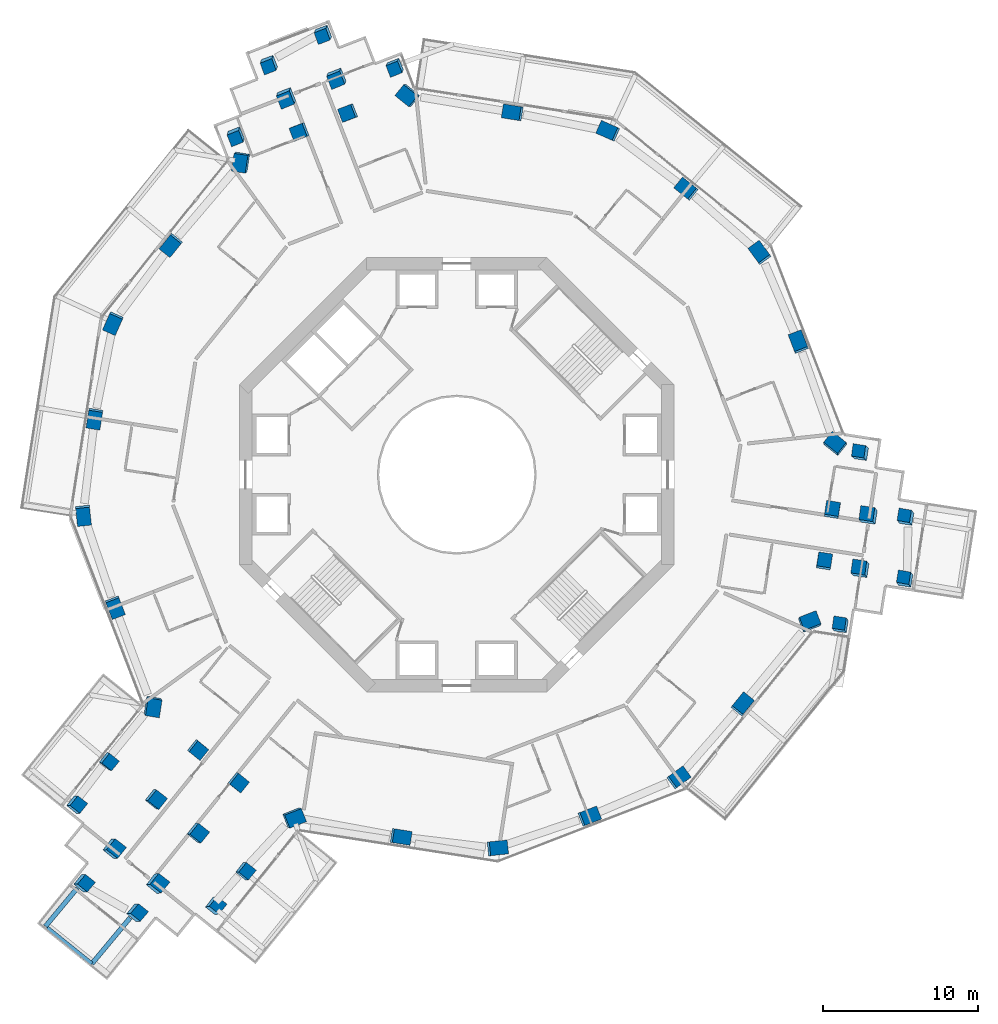
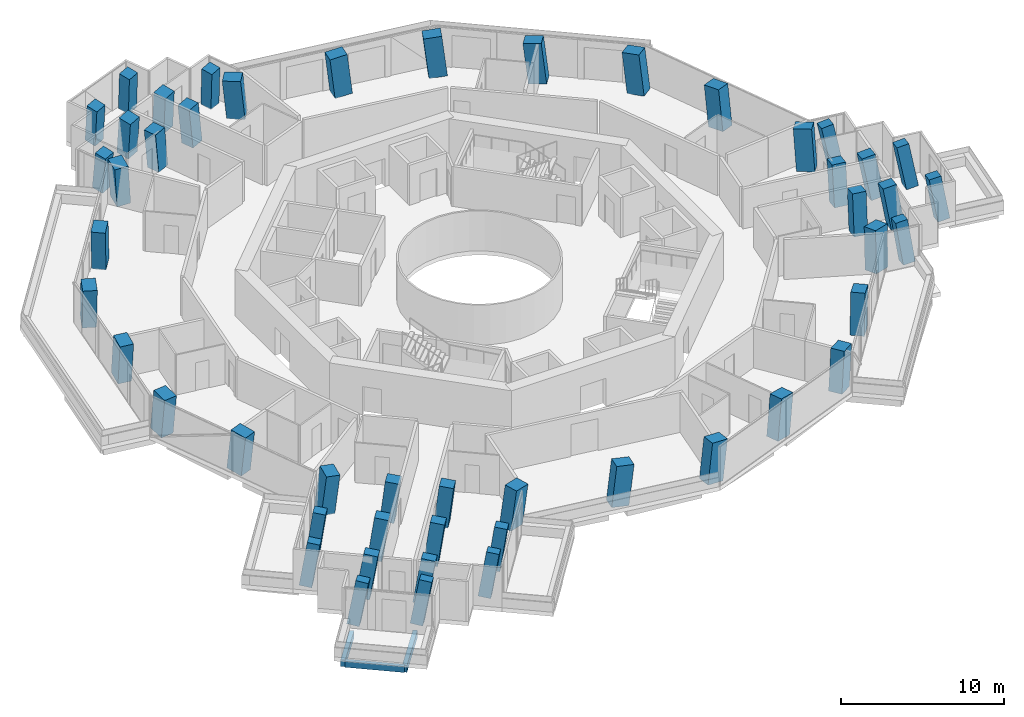
# One storey, part 1 of 23: 49 columns, 3 beams.
"""IFC4 building model written with IfcOpenShell, lengths in metres."""

from ifc_helpers import new_model, si_unit, direction, frame, origin, origin_2d, place, context, subcontext, project, spatial, rectangle, extrude, material, material_profile, profile_set, type_object, element, save


model = new_model("IFC4")

# Units and contexts
model_context = context("Model", 3, precision=1e-05, world=origin(), true_north=direction((0.0, 1.0)))
body_context = subcontext(model_context, "Body", "Model", "MODEL_VIEW")
ifc_project = project(units=[si_unit("LENGTHUNIT", "METRE"), si_unit("AREAUNIT", "SQUARE_METRE"), si_unit("VOLUMEUNIT", "CUBIC_METRE"), si_unit("PLANEANGLEUNIT", "RADIAN"), si_unit("MASSUNIT", "GRAM", prefix="KILO")], contexts=[model_context])

# Site, building, storey
site_placement = place(None, origin())
site = spatial("IfcSite", under=ifc_project, at=site_placement, CompositionType="ELEMENT")
building_placement = place(site_placement, origin())
building = spatial("IfcBuilding", under=site, at=building_placement, Name="Verdalira Terraces Hotel", CompositionType="ELEMENT")
storey_placement = place(building_placement, frame((0.0, 0.0, 118.5)))
storey = spatial("IfcBuildingStorey", under=building, at=storey_placement, Name="L28", CompositionType="ELEMENT", Elevation=118.5)

# Columns
ifc_material_1 = material(Name="Concrete C80", Category="concrete")
ifc_material_profile_1 = material_profile(ifc_material_1, rectangle(XDim=1.149902, YDim=0.899902, at=origin_2d()), Name="RC 1150X900")
ifc_profile_set_1 = profile_set([ifc_material_profile_1], Name="Concrete C80")
column_type_1 = type_object("IfcColumnType", Name="Column RC 1150X900 C80", PredefinedType="COLUMN", material=ifc_profile_set_1)
column_1_placement = place(storey_placement, frame((-13.868652, 20.140625, 0.0), z_axis=(-0.095215462, -0.066763983, 0.993215277), x_axis=(0.14705259, 0.985858366, 0.080366777)))
element("IfcColumn", 1, at=column_1_placement, inside=storey, type_object=column_type_1, Name="Column C03", PredefinedType="COLUMN", context=body_context, shape_type="SweptSolid", body=[
    extrude(rectangle(XDim=1.149902, YDim=0.899902, at=origin_2d()), origin(), (0.0, 0.0, 1.0), 3.020508),
])
column_2_placement = place(storey_placement, frame((-18.378174, 14.818604, 0.0), z_axis=(-0.069786874, -0.087981597, 0.99367451), x_axis=(-0.624093395, -0.773238231, -0.11229458)))
element("IfcColumn", 2, at=column_2_placement, inside=storey, type_object=column_type_1, Name="Column C04", PredefinedType="COLUMN", context=body_context, shape_type="SweptSolid", body=[
    extrude(rectangle(XDim=1.149902, YDim=0.899902, at=origin_2d()), origin(), (0.0, 0.0, 1.0), 3.019043),
])
column_3_placement = place(storey_placement, frame((-22.121582, 9.793701, 0.0), z_axis=(-0.045755258, -0.105576619, 0.993357959), x_axis=(0.402729542, 0.908058308, 0.11506096)))
element("IfcColumn", 3, at=column_3_placement, inside=storey, type_object=column_type_1, Name="Column C05", PredefinedType="COLUMN", context=body_context, shape_type="SweptSolid", body=[
    extrude(rectangle(XDim=1.149902, YDim=0.899902, at=origin_2d()), origin(), (0.0, 0.0, 1.0), 3.02002),
])
column_4_placement = place(storey_placement, frame((-23.325439, 3.644287, 0.0), z_axis=(-0.016415653, -0.111108905, 0.993672651), x_axis=(-0.153568339, -0.981734689, -0.112311022)))
element("IfcColumn", 4, at=column_4_placement, inside=storey, type_object=column_type_1, Name="Column C06", PredefinedType="COLUMN", context=body_context, shape_type="SweptSolid", body=[
    extrude(rectangle(XDim=1.149902, YDim=0.899902, at=origin_2d()), origin(), (0.0, 0.0, 1.0), 3.019043),
])
column_5_placement = place(storey_placement, frame((-24.054688, -2.579102, 0.0), z_axis=(0.013176869, -0.114307314, 0.993358046), x_axis=(-0.105374926, 0.987753651, 0.115060203)))
element("IfcColumn", 5, at=column_5_placement, inside=storey, type_object=column_type_1, Name="Column C07", PredefinedType="COLUMN", context=body_context, shape_type="SweptSolid", body=[
    extrude(rectangle(XDim=1.149902, YDim=0.899902, at=origin_2d()), origin(), (0.0, 0.0, 1.0), 3.02002),
])
column_6_placement = place(storey_placement, frame((-22.022461, -8.506592, 0.0), z_axis=(0.041321986, -0.104477507, 0.993668428), x_axis=(0.357606883, -0.927089617, -0.112348381)))
element("IfcColumn", 6, at=column_6_placement, inside=storey, type_object=column_type_1, Name="Column C08", PredefinedType="COLUMN", context=body_context, shape_type="SweptSolid", body=[
    extrude(rectangle(XDim=1.149902, YDim=0.899902, at=origin_2d()), origin(), (0.0, 0.0, 1.0), 3.019043),
])
column_7_placement = place(storey_placement, frame((-19.602295, -14.911133, 0.0), z_axis=(0.071687441, -0.09261985, 0.993117553), x_axis=(0.160650574, 0.983751687, 0.080149933)))
element("IfcColumn", 7, at=column_7_placement, inside=storey, type_object=column_type_1, Name="Column C09", PredefinedType="COLUMN", context=body_context, shape_type="SweptSolid", body=[
    extrude(rectangle(XDim=1.149902, YDim=0.899902, at=origin_2d()), origin(), (0.0, 0.0, 1.0), 3.020752),
])
column_8_placement = place(storey_placement, frame((-10.507812, -22.080811, 0.0), z_axis=(0.105399757, -0.049143445, 0.993214888), x_axis=(-0.927529767, -0.36500595, 0.080369075)))
element("IfcColumn", 8, at=column_8_placement, inside=storey, type_object=column_type_1, Name="Column C16", PredefinedType="COLUMN", context=body_context, shape_type="SweptSolid", body=[
    extrude(rectangle(XDim=1.149902, YDim=0.899902, at=origin_2d()), origin(), (0.0, 0.0, 1.0), 3.020508),
])
column_9_placement = place(storey_placement, frame((-3.644287, -23.325439, 0.0), z_axis=(0.111108905, -0.016415653, 0.993672651), x_axis=(0.981734689, -0.153568339, -0.112311022)))
element("IfcColumn", 9, at=column_9_placement, inside=storey, type_object=column_type_1, Name="Column C17", PredefinedType="COLUMN", context=body_context, shape_type="SweptSolid", body=[
    extrude(rectangle(XDim=1.149902, YDim=0.899902, at=origin_2d()), origin(), (0.0, 0.0, 1.0), 3.019043),
])
column_10_placement = place(storey_placement, frame((2.579102, -24.054688, 0.0), z_axis=(0.114307314, 0.013176869, 0.993358046), x_axis=(-0.987753651, -0.105374926, 0.115060203)))
element("IfcColumn", 10, at=column_10_placement, inside=storey, type_object=column_type_1, Name="Column C18", PredefinedType="COLUMN", context=body_context, shape_type="SweptSolid", body=[
    extrude(rectangle(XDim=1.149902, YDim=0.899902, at=origin_2d()), origin(), (0.0, 0.0, 1.0), 3.02002),
])
column_11_placement = place(storey_placement, frame((8.506592, -22.022461, 0.0), z_axis=(0.104477507, 0.041321986, 0.993668428), x_axis=(0.927089617, 0.357606883, -0.112348381)))
element("IfcColumn", 11, at=column_11_placement, inside=storey, type_object=column_type_1, Name="Column C19", PredefinedType="COLUMN", context=body_context, shape_type="SweptSolid", body=[
    extrude(rectangle(XDim=1.149902, YDim=0.899902, at=origin_2d()), origin(), (0.0, 0.0, 1.0), 3.019043),
])
column_12_placement = place(storey_placement, frame((14.260986, -19.54248, 0.0), z_axis=(0.092399372, 0.068632604, 0.993353875), x_axis=(-0.80243765, -0.585531111, 0.115096203)))
element("IfcColumn", 12, at=column_12_placement, inside=storey, type_object=column_type_1, Name="Column C20", PredefinedType="COLUMN", context=body_context, shape_type="SweptSolid", body=[
    extrude(rectangle(XDim=1.149902, YDim=0.899902, at=origin_2d()), origin(), (0.0, 0.0, 1.0), 3.02002),
])
column_13_placement = place(storey_placement, frame((18.378174, -14.818604, 0.0), z_axis=(0.069786874, 0.087981597, 0.99367451), x_axis=(0.624093395, 0.773238231, -0.11229458)))
element("IfcColumn", 13, at=column_13_placement, inside=storey, type_object=column_type_1, Name="Column C21", PredefinedType="COLUMN", context=body_context, shape_type="SweptSolid", body=[
    extrude(rectangle(XDim=1.149902, YDim=0.899902, at=origin_2d()), origin(), (0.0, 0.0, 1.0), 3.019043),
])
column_14_placement = place(storey_placement, frame((22.7146, -9.520508, 0.0), z_axis=(0.044289639, 0.108380303, 0.993122418), x_axis=(-0.93207803, -0.353286088, 0.080121696)))
element("IfcColumn", 14, at=column_14_placement, inside=storey, type_object=column_type_1, Name="Column C22", PredefinedType="COLUMN", context=body_context, shape_type="SweptSolid", body=[
    extrude(rectangle(XDim=1.149902, YDim=0.899902, at=origin_2d()), origin(), (0.0, 0.0, 1.0), 3.020752),
])
column_15_placement = place(storey_placement, frame((24.376709, 1.940186, 0.0), z_axis=(-0.01026508, 0.115906491, 0.993207085), x_axis=(0.780504995, -0.619955936, 0.080415116)))
element("IfcColumn", 15, at=column_15_placement, inside=storey, type_object=column_type_1, Name="Column C27", PredefinedType="COLUMN", context=body_context, shape_type="SweptSolid", body=[
    extrude(rectangle(XDim=1.149902, YDim=0.899902, at=origin_2d()), origin(), (0.0, 0.0, 1.0), 3.020508),
])
column_16_placement = place(storey_placement, frame((22.022461, 8.506592, 0.0), z_axis=(-0.041321986, 0.104477507, 0.993668428), x_axis=(-0.357606883, 0.927089617, -0.112348381)))
element("IfcColumn", 16, at=column_16_placement, inside=storey, type_object=column_type_1, Name="Column C28", PredefinedType="COLUMN", context=body_context, shape_type="SweptSolid", body=[
    extrude(rectangle(XDim=1.149902, YDim=0.899902, at=origin_2d()), origin(), (0.0, 0.0, 1.0), 3.019043),
])
column_17_placement = place(storey_placement, frame((19.54248, 14.260986, 0.0), z_axis=(-0.068632604, 0.092399372, 0.993353875), x_axis=(0.585531111, -0.80243765, 0.115096203)))
element("IfcColumn", 17, at=column_17_placement, inside=storey, type_object=column_type_1, Name="Column C29", PredefinedType="COLUMN", context=body_context, shape_type="SweptSolid", body=[
    extrude(rectangle(XDim=1.149902, YDim=0.899902, at=origin_2d()), origin(), (0.0, 0.0, 1.0), 3.02002),
])
column_18_placement = place(storey_placement, frame((14.818604, 18.378174, 0.0), z_axis=(-0.087981597, 0.069786874, 0.99367451), x_axis=(-0.773238231, 0.624093395, -0.11229458)))
element("IfcColumn", 18, at=column_18_placement, inside=storey, type_object=column_type_1, Name="Column C30", PredefinedType="COLUMN", context=body_context, shape_type="SweptSolid", body=[
    extrude(rectangle(XDim=1.149902, YDim=0.899902, at=origin_2d()), origin(), (0.0, 0.0, 1.0), 3.019043),
])
column_19_placement = place(storey_placement, frame((9.793701, 22.121582, 0.0), z_axis=(-0.105576619, 0.045755258, 0.993357959), x_axis=(0.908058308, -0.402729542, 0.11506096)))
element("IfcColumn", 19, at=column_19_placement, inside=storey, type_object=column_type_1, Name="Column C31", PredefinedType="COLUMN", context=body_context, shape_type="SweptSolid", body=[
    extrude(rectangle(XDim=1.149902, YDim=0.899902, at=origin_2d()), origin(), (0.0, 0.0, 1.0), 3.02002),
])
column_20_placement = place(storey_placement, frame((3.644287, 23.325439, 0.0), z_axis=(-0.111108905, 0.016415653, 0.993672651), x_axis=(-0.981734689, 0.153568339, -0.112311022)))
element("IfcColumn", 20, at=column_20_placement, inside=storey, type_object=column_type_1, Name="Column C32", PredefinedType="COLUMN", context=body_context, shape_type="SweptSolid", body=[
    extrude(rectangle(XDim=1.149902, YDim=0.899902, at=origin_2d()), origin(), (0.0, 0.0, 1.0), 3.019043),
])
column_21_placement = place(storey_placement, frame((-3.112305, 24.431641, 0.0), z_axis=(-0.116057669, -0.01575992, 0.993117436), x_axis=(0.771555546, -0.631092639, 0.08015061)))
element("IfcColumn", 21, at=column_21_placement, inside=storey, type_object=column_type_1, Name="Column C33", PredefinedType="COLUMN", context=body_context, shape_type="SweptSolid", body=[
    extrude(rectangle(XDim=1.149902, YDim=0.899902, at=origin_2d()), origin(), (0.0, 0.0, 1.0), 3.020752),
])
ifc_material_2 = material(Name="Concrete C80", Category="concrete")
ifc_material_profile_2 = material_profile(ifc_material_2, rectangle(XDim=0.800049, YDim=0.800049, at=origin_2d()), Name="RC 800X800")
ifc_profile_set_2 = profile_set([ifc_material_profile_2], Name="Concrete C80")
column_type_2 = type_object("IfcColumnType", Name="Column RC 800X800 C80", PredefinedType="COLUMN", material=ifc_profile_set_2)
column_22_placement = place(storey_placement, frame((-3.955322, 26.308838, 0.0), z_axis=(-0.068478669, -0.1563623, 0.985323045), x_axis=(-0.37143503, 0.920634632, 0.120282553)))
element("IfcColumn", 22, at=column_22_placement, inside=storey, type_object=column_type_2, Name="Column C01", PredefinedType="COLUMN", context=body_context, shape_type="SweptSolid", body=[
    extrude(rectangle(XDim=0.800049, YDim=0.800049, at=origin_2d()), origin(), (0.0, 0.0, 1.0), 3.044678),
])
column_23_placement = place(storey_placement, frame((-14.214355, 21.895996, 0.0), z_axis=(-0.046959321, -0.203118963, 0.978027356), x_axis=(0.37393507, -0.911489504, -0.17134599)))
element("IfcColumn", 23, at=column_23_placement, inside=storey, type_object=column_type_2, Name="Column C02", PredefinedType="COLUMN", context=body_context, shape_type="SweptSolid", body=[
    extrude(rectangle(XDim=0.800049, YDim=0.800049, at=origin_2d()), origin(), (0.0, 0.0, 1.0), 3.067383),
])
column_24_placement = place(storey_placement, frame((-22.461914, -18.45752, 0.0), z_axis=(0.133962662, -0.047285678, 0.989857601), x_axis=(-0.622040211, -0.781582544, 0.04684765)))
element("IfcColumn", 24, at=column_24_placement, inside=storey, type_object=column_type_2, Name="Column C10", PredefinedType="COLUMN", context=body_context, shape_type="SweptSolid", body=[
    extrude(rectangle(XDim=0.800049, YDim=0.800049, at=origin_2d()), origin(), (0.0, 0.0, 1.0), 3.030762),
])
column_25_placement = place(storey_placement, frame((-24.57251, -21.250732, 0.0), z_axis=(0.191074754, 0.001278092, 0.981574656), x_axis=(-0.609056927, -0.784060002, 0.119580821)))
element("IfcColumn", 25, at=column_25_placement, inside=storey, type_object=column_type_2, Name="Column C11", PredefinedType="COLUMN", context=body_context, shape_type="SweptSolid", body=[
    extrude(rectangle(XDim=0.800049, YDim=0.800049, at=origin_2d()), origin(), (0.0, 0.0, 1.0), 3.056396),
])
column_26_placement = place(storey_placement, frame((-24.114258, -26.322021, 0.0), z_axis=(0.213923041, 0.003656804, 0.976843672), x_axis=(0.753680857, -0.636792219, -0.162667867)))
element("IfcColumn", 26, at=column_26_placement, inside=storey, type_object=column_type_2, Name="Column C12", PredefinedType="COLUMN", context=body_context, shape_type="SweptSolid", body=[
    extrude(rectangle(XDim=0.800049, YDim=0.800049, at=origin_2d()), origin(), (0.0, 0.0, 1.0), 3.071045),
])
column_27_placement = place(storey_placement, frame((-20.708984, -28.232422, 0.0), z_axis=(0.222202549, 0.019594441, 0.974803614), x_axis=(0.752603043, -0.639062376, -0.158707089)))
element("IfcColumn", 27, at=column_27_placement, inside=storey, type_object=column_type_2, Name="Column C13", PredefinedType="COLUMN", context=body_context, shape_type="SweptSolid", body=[
    extrude(rectangle(XDim=0.800049, YDim=0.800049, at=origin_2d()), origin(), (0.0, 0.0, 1.0), 3.077637),
])
column_28_placement = place(storey_placement, frame((-15.636475, -27.788086, 0.0), z_axis=(0.219926001, 0.043223826, 0.974558492), x_axis=(0.598816168, 0.782669413, -0.169846359)))
element("IfcColumn", 28, at=column_28_placement, inside=storey, type_object=column_type_2, Name="Column C14", PredefinedType="COLUMN", context=body_context, shape_type="SweptSolid", body=[
    extrude(rectangle(XDim=0.800049, YDim=0.800049, at=origin_2d()), origin(), (0.0, 0.0, 1.0), 3.078369),
])
column_29_placement = place(storey_placement, frame((-13.680664, -25.537842, 0.0), z_axis=(0.166426222, -0.005376353, 0.986039253), x_axis=(0.614222955, 0.782847029, -0.099401665)))
element("IfcColumn", 29, at=column_29_placement, inside=storey, type_object=column_type_2, Name="Column C15", PredefinedType="COLUMN", context=body_context, shape_type="SweptSolid", body=[
    extrude(rectangle(XDim=0.800049, YDim=0.800049, at=origin_2d()), origin(), (0.0, 0.0, 1.0), 3.04248),
])
column_30_placement = place(storey_placement, frame((24.761719, -9.729004, 0.0), z_axis=(-0.10111444, 0.137518846, 0.985324534), x_axis=(0.982955724, -0.139038155, 0.120276498)))
element("IfcColumn", 30, at=column_30_placement, inside=storey, type_object=column_type_2, Name="Column C23", PredefinedType="COLUMN", context=body_context, shape_type="SweptSolid", body=[
    extrude(rectangle(XDim=0.800049, YDim=0.800049, at=origin_2d()), origin(), (0.0, 0.0, 1.0), 3.044678),
])
column_31_placement = place(storey_placement, frame((28.924316, -6.796387, 0.0), z_axis=(-0.114645152, 0.156319783, 0.981030384), x_axis=(0.171686932, 0.975799325, -0.135422578)))
element("IfcColumn", 31, at=column_31_placement, inside=storey, type_object=column_type_2, Name="Column C24", PredefinedType="COLUMN", context=body_context, shape_type="SweptSolid", body=[
    extrude(rectangle(XDim=0.800049, YDim=0.800049, at=origin_2d()), origin(), (0.0, 0.0, 1.0), 3.058105),
])
column_32_placement = place(storey_placement, frame((28.990723, -2.808838, 0.0), z_axis=(-0.133015824, 0.15611438, 0.978741585), x_axis=(0.17391968, 0.975870231, -0.132019839)))
element("IfcColumn", 32, at=column_32_placement, inside=storey, type_object=column_type_2, Name="Column C25", PredefinedType="COLUMN", context=body_context, shape_type="SweptSolid", body=[
    extrude(rectangle(XDim=0.800049, YDim=0.800049, at=origin_2d()), origin(), (0.0, 0.0, 1.0), 3.065186),
])
column_33_placement = place(storey_placement, frame((26.06958, 1.362061, 0.0), z_axis=(-0.15242064, 0.14215314, 0.978039075), x_axis=(-0.976379461, 0.131678342, -0.171300796)))
element("IfcColumn", 33, at=column_33_placement, inside=storey, type_object=column_type_2, Name="Column C26", PredefinedType="COLUMN", context=body_context, shape_type="SweptSolid", body=[
    extrude(rectangle(XDim=0.800049, YDim=0.800049, at=origin_2d()), origin(), (0.0, 0.0, 1.0), 3.067383),
])
column_34_placement = place(storey_placement, frame((-8.576416, 28.44751, 0.0), z_axis=(-0.078079469, -0.177475113, 0.981023028), x_axis=(-0.930927807, -0.339156453, -0.135448583)))
element("IfcColumn", 34, at=column_34_placement, inside=storey, type_object=column_type_2, Name="Column C34", PredefinedType="COLUMN", context=body_context, shape_type="SweptSolid", body=[
    extrude(rectangle(XDim=0.800049, YDim=0.800049, at=origin_2d()), origin(), (0.0, 0.0, 1.0), 3.058105),
])
column_35_placement = place(storey_placement, frame((-12.062988, 26.51123, 0.0), z_axis=(-0.068578567, -0.193310316, 0.978738015), x_axis=(-0.931880952, -0.337884238, -0.132030806)))
element("IfcColumn", 35, at=column_35_placement, inside=storey, type_object=column_type_2, Name="Column C35", PredefinedType="COLUMN", context=body_context, shape_type="SweptSolid", body=[
    extrude(rectangle(XDim=0.800049, YDim=0.800049, at=origin_2d()), origin(), (0.0, 0.0, 1.0), 3.065186),
])
ifc_material_3 = material(Name="Concrete C80", Category="concrete")
ifc_material_profile_3 = material_profile(ifc_material_3, rectangle(XDim=0.899902, YDim=0.899902, at=origin_2d()), Name="RC 900X900")
ifc_profile_set_3 = profile_set([ifc_material_profile_3], Name="Concrete C80")
column_type_3 = type_object("IfcColumnType", Name="Column RC 900X900 C80", PredefinedType="COLUMN", material=ifc_profile_set_3)
for number, where, z_axis, x_axis, name in (
    (36, (-6.962402, 23.315918, 0.0), (-0.110580182, -0.034111723, 0.993281639), (-0.360049064, 0.932898676, -0.008045563), "Column C36"),
    (37, (-10.093506, 22.106445, 0.0), (-0.104681548, -0.048905279, 0.993302596), (-0.361489576, 0.932343461, 0.007807519), "Column C37"),
):
    element("IfcColumn", number, at=place(storey_placement, frame(where, z_axis=z_axis, x_axis=x_axis)), inside=storey, type_object=column_type_3, Name=name, PredefinedType="COLUMN", context=body_context, shape_type="SweptSolid", body=[
        extrude(rectangle(XDim=0.899902, YDim=0.899902, at=origin_2d()), origin(), (0.0, 0.0, 1.0), 3.020264),
    ])
column_36_placement = place(storey_placement, frame((-7.718506, 25.616455, 0.0), z_axis=(-0.064855949, -0.173615618, 0.982675594), x_axis=(-0.373137586, 0.917533473, 0.137479703)))
element("IfcColumn", 38, at=column_36_placement, inside=storey, type_object=column_type_3, Name="Column C38", PredefinedType="COLUMN", context=body_context, shape_type="SweptSolid", body=[
    extrude(rectangle(XDim=0.899902, YDim=0.899902, at=origin_2d()), origin(), (0.0, 0.0, 1.0), 3.052979),
])
column_37_placement = place(storey_placement, frame((-10.964844, 24.362549, 0.0), z_axis=(-0.058717566, -0.18843871, 0.980328057), x_axis=(-0.374056073, 0.914630355, 0.153405894)))
element("IfcColumn", 39, at=column_37_placement, inside=storey, type_object=column_type_3, Name="Column C39", PredefinedType="COLUMN", context=body_context, shape_type="SweptSolid", body=[
    extrude(rectangle(XDim=0.899902, YDim=0.899902, at=origin_2d()), origin(), (0.0, 0.0, 1.0), 3.060303),
])
for number, where, z_axis, x_axis, name in (
    (40, (-16.710693, -17.6875, 0.0), (0.084714173, -0.078732447, 0.993289842), (-0.628540516, -0.777735281, -0.008040666), "Column C40"),
    (41, (-14.0979, -19.794189, 0.0), (0.094657804, -0.066284713, 0.993300678), (-0.627272589, -0.778760633, 0.007808633), "Column C41"),
):
    element("IfcColumn", number, at=place(storey_placement, frame(where, z_axis=z_axis, x_axis=x_axis)), inside=storey, type_object=column_type_3, Name=name, PredefinedType="COLUMN", context=body_context, shape_type="SweptSolid", body=[
        extrude(rectangle(XDim=0.899902, YDim=0.899902, at=origin_2d()), origin(), (0.0, 0.0, 1.0), 3.020264),
    ])
column_38_placement = place(storey_placement, frame((-19.440186, -20.893799, 0.0), z_axis=(0.145095819, -0.032833663, 0.988872668), x_axis=(-0.619690166, -0.782153937, 0.064956263)))
element("IfcColumn", 42, at=column_38_placement, inside=storey, type_object=column_type_3, Name="Column C42", PredefinedType="COLUMN", context=body_context, shape_type="SweptSolid", body=[
    extrude(rectangle(XDim=0.899902, YDim=0.899902, at=origin_2d()), origin(), (0.0, 0.0, 1.0), 3.033691),
])
column_39_placement = place(storey_placement, frame((-16.73999, -23.071045, 0.0), z_axis=(0.155130787, -0.019933904, 0.987692806), x_axis=(-0.617150721, -0.782650547, 0.081136357)))
element("IfcColumn", 43, at=column_39_placement, inside=storey, type_object=column_type_3, Name="Column C43", PredefinedType="COLUMN", context=body_context, shape_type="SweptSolid", body=[
    extrude(rectangle(XDim=0.899902, YDim=0.899902, at=origin_2d()), origin(), (0.0, 0.0, 1.0), 3.037354),
])
column_40_placement = place(storey_placement, frame((-22.169678, -24.100342, 0.0), z_axis=(0.20386154, 0.012666661, 0.978917784), x_axis=(-0.605304921, -0.784254098, 0.136203751)))
element("IfcColumn", 44, at=column_40_placement, inside=storey, type_object=column_type_3, Name="Column C44", PredefinedType="COLUMN", context=body_context, shape_type="SweptSolid", body=[
    extrude(rectangle(XDim=0.899902, YDim=0.899902, at=origin_2d()), origin(), (0.0, 0.0, 1.0), 3.064697),
])
column_41_placement = place(storey_placement, frame((-19.38208, -26.3479, 0.0), z_axis=(0.213701867, 0.025749128, 0.976559519), x_axis=(-0.601865135, -0.783925788, 0.152376896)))
element("IfcColumn", 45, at=column_41_placement, inside=storey, type_object=column_type_3, Name="Column C45", PredefinedType="COLUMN", context=body_context, shape_type="SweptSolid", body=[
    extrude(rectangle(XDim=0.899902, YDim=0.899902, at=origin_2d()), origin(), (0.0, 0.0, 1.0), 3.072021),
])
for number, where, z_axis, x_axis, name in (
    (46, (23.67334, -5.628174, 0.0), (0.025786021, 0.11276332, 0.993287227), (0.987872354, -0.155059777, -0.008042228), "Column C46"),
    (47, (24.191406, -2.312012, 0.0), (0.010023558, 0.115109247, 0.993302265), (0.988130309, -0.153419462, 0.007807711), "Column C47"),
):
    element("IfcColumn", number, at=place(storey_placement, frame(where, z_axis=z_axis, x_axis=x_axis)), inside=storey, type_object=column_type_3, Name=name, PredefinedType="COLUMN", context=body_context, shape_type="SweptSolid", body=[
        extrude(rectangle(XDim=0.899902, YDim=0.899902, at=origin_2d()), origin(), (0.0, 0.0, 1.0), 3.020264),
    ])
column_42_placement = place(storey_placement, frame((26.043701, -6.123779, 0.0), z_axis=(-0.117876794, 0.14298759, 0.982679811), x_axis=(0.981143386, -0.135873277, 0.137463116)))
element("IfcColumn", 48, at=column_42_placement, inside=storey, type_object=column_type_3, Name="Column C48", PredefinedType="COLUMN", context=body_context, shape_type="SweptSolid", body=[
    extrude(rectangle(XDim=0.899902, YDim=0.899902, at=origin_2d()), origin(), (0.0, 0.0, 1.0), 3.052979),
])
column_43_placement = place(storey_placement, frame((26.580811, -2.685303, 0.0), z_axis=(-0.133791288, 0.145040287, 0.980338312), x_axis=(0.979119115, -0.13343364, 0.153366301)))
element("IfcColumn", 49, at=column_43_placement, inside=storey, type_object=column_type_3, Name="Column C49", PredefinedType="COLUMN", context=body_context, shape_type="SweptSolid", body=[
    extrude(rectangle(XDim=0.899902, YDim=0.899902, at=origin_2d()), origin(), (0.0, 0.0, 1.0), 3.060059),
])

# Beams
ifc_material_4 = material(Name="Concrete C40", Category="concrete")
ifc_material_profile_4 = material_profile(ifc_material_4, rectangle(XDim=0.300049, YDim=0.5, at=origin_2d()), Name="RC 300X500")
ifc_profile_set_4 = profile_set([ifc_material_profile_4], Name="Concrete C40")
beam_type_1 = type_object("IfcBeamType", Name="Balcony cantilever beam RC 300X500 C40", PredefinedType="BEAM", material=ifc_profile_set_4)
beam_1_placement = place(storey_placement, frame((-24.439941, -26.629639, -0.560059), z_axis=(-0.640626145, -0.767852944, 0.0), x_axis=(0.767852944, -0.640626145, 0.0)))
element("IfcBeam", 50, at=beam_1_placement, inside=storey, type_object=beam_type_1, Name="Balcony cantilever beam R19-1", PredefinedType="BEAM", context=body_context, shape_type="SweptSolid", body=[
    extrude(rectangle(XDim=0.300049, YDim=0.5, at=origin_2d()), origin(), (0.0, 0.0, 1.0), 3.206543),
])
beam_2_placement = place(storey_placement, frame((-21.037598, -28.54541, -0.560059), z_axis=(-0.640651982, -0.767831386, 0.0), x_axis=(0.767831386, -0.640651982, 0.0)))
element("IfcBeam", 51, at=beam_2_placement, inside=storey, type_object=beam_type_1, Name="Balcony cantilever beam R19-2", PredefinedType="BEAM", context=body_context, shape_type="SweptSolid", body=[
    extrude(rectangle(XDim=0.300049, YDim=0.5, at=origin_2d()), origin(), (0.0, 0.0, 1.0), 3.85083),
])
ifc_material_5 = material(Name="Concrete C40", Category="concrete")
ifc_material_profile_5 = material_profile(ifc_material_5, rectangle(XDim=0.25, YDim=0.449951, at=origin_2d()), Name="RC 250X450")
ifc_profile_set_5 = profile_set([ifc_material_profile_5], Name="Concrete C40")
beam_type_2 = type_object("IfcBeamType", Name="Balcony edge beam RC 250X450 C40", PredefinedType="BEAM", material=ifc_profile_set_5)
beam_3_placement = place(storey_placement, frame((-26.377197, -29.185791, -0.534912), z_axis=(0.778435982, -0.627724001, 0.0), x_axis=(0.627724001, 0.778435982, 0.0)))
element("IfcBeam", 52, at=beam_3_placement, inside=storey, type_object=beam_type_2, Name="Balcony edge beam R19-1", PredefinedType="BEAM", context=body_context, shape_type="SweptSolid", body=[
    extrude(rectangle(XDim=0.25, YDim=0.449951, at=origin_2d()), origin(), (0.0, 0.0, 1.0), 3.690186),
])

save(model, "model.ifc")
